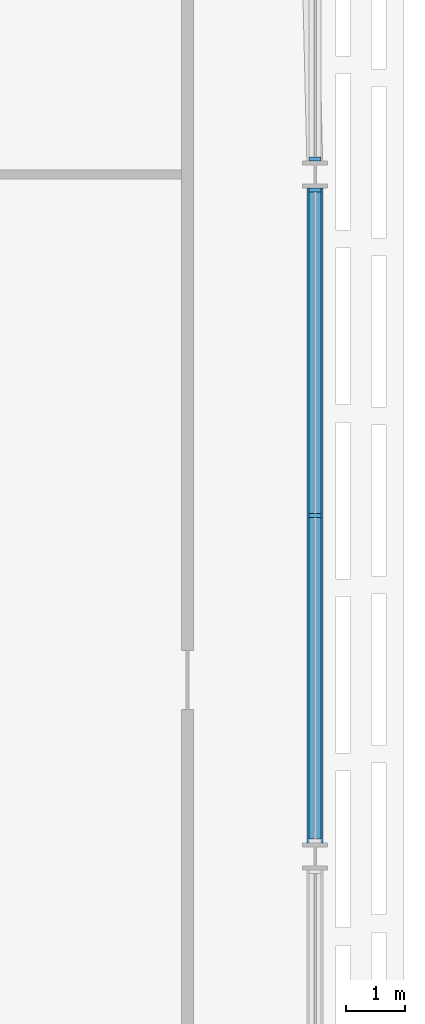
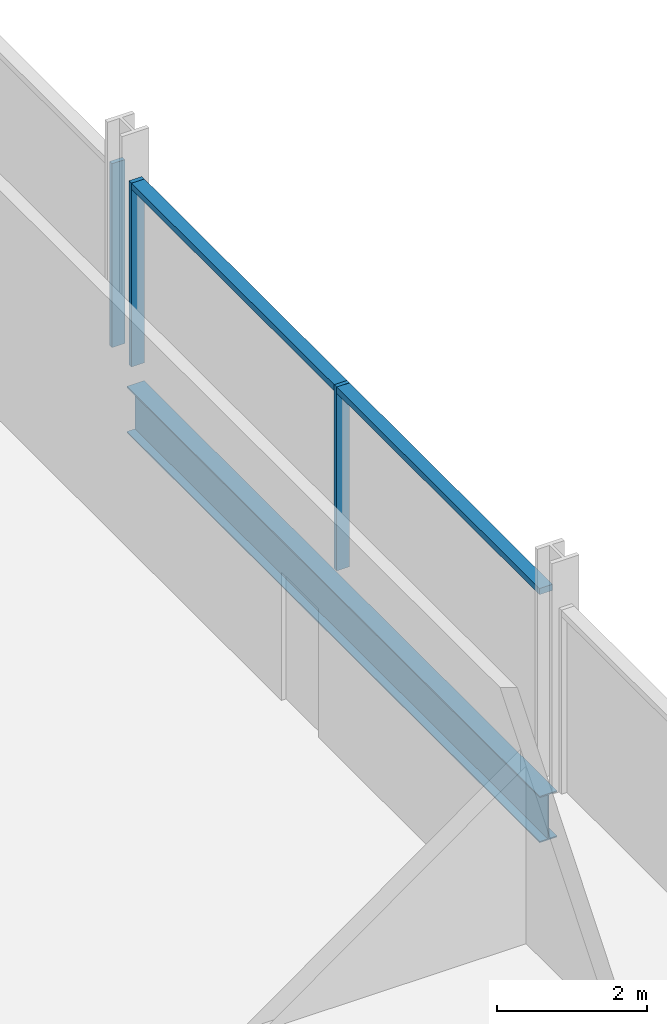
# One storey, part 9 of 29: 5 members, 1 beam, 2 elements without a shape of their own.
"""IFC4 building model written with IfcOpenShell, lengths in metres."""

from ifc_helpers import new_model, si_unit, direction, frame, origin, origin_2d, place, context, subcontext, project, spatial, rectangle, i_section, extrude, material, material_profile, profile_set, type_object, element, aggregate, save


model = new_model("IFC4")

# Units and contexts
model_context = context("Model", 3, precision=1e-05, world=origin(), true_north=direction((0.0, 1.0)))
body_context = subcontext(model_context, "Body", "Model", "MODEL_VIEW")
ifc_project = project(units=[si_unit("LENGTHUNIT", "METRE"), si_unit("AREAUNIT", "SQUARE_METRE"), si_unit("VOLUMEUNIT", "CUBIC_METRE"), si_unit("PLANEANGLEUNIT", "RADIAN"), si_unit("MASSUNIT", "GRAM", prefix="KILO")], contexts=[model_context])

# Site, building, storey
site_placement = place(None, origin())
site = spatial("IfcSite", under=ifc_project, at=site_placement, CompositionType="ELEMENT")
building_placement = place(site_placement, origin())
building = spatial("IfcBuilding", under=site, at=building_placement, Name="Mahtab Terrace Research Tower", CompositionType="ELEMENT")
storey_placement = place(building_placement, frame((0.0, 0.0, 93.0)))
storey = spatial("IfcBuildingStorey", under=building, at=storey_placement, Name="L21", CompositionType="ELEMENT", Elevation=93.0)

# Curtain wall, members
ifc_material_1 = material(Name="Laboratory ribbon curtain wall")
curtain_wall_type = type_object("IfcCurtainWallType", Name="Laboratory ribbon curtain wall", PredefinedType="NOTDEFINED", material=ifc_material_1)
curtain_wall_1_placement = place(storey_placement, origin())
curtain_wall_1 = element("IfcCurtainWall", 1, at=curtain_wall_1_placement, inside=storey, type_object=curtain_wall_type, Name="EN.L21.18.37", PredefinedType="NOTDEFINED")
ifc_material_2 = material(Name="Natural anodised aluminium", Category="aluminium")
ifc_material_profile_1 = material_profile(ifc_material_2, rectangle(XDim=0.199951171875, YDim=0.06494140625, at=origin_2d()), Name="MULLION 65x200")
ifc_profile_set_1 = profile_set([ifc_material_profile_1], Name="Natural anodised aluminium")
member_type_1 = type_object("IfcMemberType", Name="Laboratory ribbon curtain wall mullion", PredefinedType="MULLION", material=ifc_profile_set_1)
member_1_placement = place(storey_placement, frame((54.0, 5.75, 0.0), z_axis=(0.0, 0.0, 1.0), x_axis=(-1.0, 0.0, 0.0)))
member_1 = element("IfcMember", 2, at=member_1_placement, type_object=member_type_1, Name="CWL-3 mullion 2", PredefinedType="MULLION", context=body_context, shape_type="SweptSolid", body=[
    extrude(rectangle(XDim=0.199951171875, YDim=0.06494140625, at=origin_2d()), origin(), (0.0, 0.0, 1.0), 3.003173828125),
])
member_2_placement = place(storey_placement, frame((54.0, 11.239501953125, 0.0), z_axis=(0.0, 0.0, 1.0), x_axis=(-1.0, 0.0, 0.0)))
member_2 = element("IfcMember", 3, at=member_2_placement, type_object=member_type_1, Name="CWL-3 mullion 3", PredefinedType="MULLION", context=body_context, shape_type="SweptSolid", body=[
    extrude(rectangle(XDim=0.199951171875, YDim=0.06494140625, at=origin_2d()), origin(), (0.0, 0.0, 1.0), 3.003173828125),
])

# Curtain wall, member
curtain_wall_2_placement = place(storey_placement, origin())
curtain_wall_2 = element("IfcCurtainWall", 4, at=curtain_wall_2_placement, inside=storey, type_object=curtain_wall_type, Name="EN.L21.18.38", PredefinedType="NOTDEFINED")
member_3_placement = place(storey_placement, frame((54.0, 11.760498046875, 0.0), z_axis=(0.0, 0.0, 1.0), x_axis=(-1.0, 0.0, 0.0)))
member_3 = element("IfcMember", 5, at=member_3_placement, type_object=member_type_1, Name="CWL-3 mullion 1", PredefinedType="MULLION", context=body_context, shape_type="SweptSolid", body=[
    extrude(rectangle(XDim=0.199951171875, YDim=0.06494140625, at=origin_2d()), origin(), (0.0, 0.0, 1.0), 3.003173828125),
])
aggregate(curtain_wall_2, [member_3])

# Member
ifc_material_profile_2 = material_profile(ifc_material_2, rectangle(XDim=0.199951171875, YDim=0.10009765625, at=origin_2d()), Name="TRANSOM 100x200")
ifc_profile_set_2 = profile_set([ifc_material_profile_2], Name="Natural anodised aluminium")
member_type_2 = type_object("IfcMemberType", Name="Laboratory ribbon curtain wall transom", PredefinedType="USERDEFINED", material=ifc_profile_set_2)
member_4_placement = place(storey_placement, frame((54.0, 0.29296875, 2.953125), z_axis=(0.0, 1.0, 0.0), x_axis=(-1.0, 0.0, 0.0)))
member_4 = element("IfcMember", 6, at=member_4_placement, type_object=member_type_2, Name="CWL-3 transom 1", ObjectType="TRANSOM", PredefinedType="USERDEFINED", context=body_context, shape_type="SweptSolid", body=[
    extrude(rectangle(XDim=0.199951171875, YDim=0.10009765625, at=origin_2d()), origin(), (0.0, 0.0, 1.0), 5.424560546875),
])

member_5_placement = place(storey_placement, frame((54.0, 5.782470703125, 2.953125), z_axis=(0.0, 1.0, 0.0), x_axis=(-1.0, 0.0, 0.0)))
member_5 = element("IfcMember", 7, at=member_5_placement, type_object=member_type_2, Name="CWL-3 transom 2", ObjectType="TRANSOM", PredefinedType="USERDEFINED", context=body_context, shape_type="SweptSolid", body=[
    extrude(rectangle(XDim=0.199951171875, YDim=0.10009765625, at=origin_2d()), origin(), (0.0, 0.0, 1.0), 5.424560546875),
])

aggregate(curtain_wall_1, [member_1, member_2, member_4, member_5])

# Beam
ifc_material_3 = material(Name="Steel ASTM A992 Gr 50", Category="steel")
ifc_material_profile_3 = material_profile(ifc_material_3, i_section(OverallWidth=0.2666015625, OverallDepth=0.7568359375, WebThickness=0.013916015625, FlangeThickness=0.019287109375, at=origin_2d()), Name="W30X108")
ifc_profile_set_3 = profile_set([ifc_material_profile_3], Name="Steel ASTM A992 Gr 50")
beam_type = type_object("IfcBeamType", Name="W30x108 beam BS30108", PredefinedType="BEAM", material=ifc_profile_set_3)
beam_placement = place(storey_placement, frame((54.0, 0.227294921875, -0.718505859375), z_axis=(0.0, 1.0, 0.0), x_axis=(-1.0, 0.0, 0.0)))
element("IfcBeam", 8, at=beam_placement, inside=storey, type_object=beam_type, Name="Spandrel beam L21 21", PredefinedType="BEAM", context=body_context, shape_type="SweptSolid", body=[
    extrude(i_section(OverallWidth=0.2666015625, OverallDepth=0.7568359375, WebThickness=0.013916015625, FlangeThickness=0.019287109375, at=origin_2d()), origin(), (0.0, 0.0, 1.0), 11.04541015625),
])

save(model, "model.ifc")
